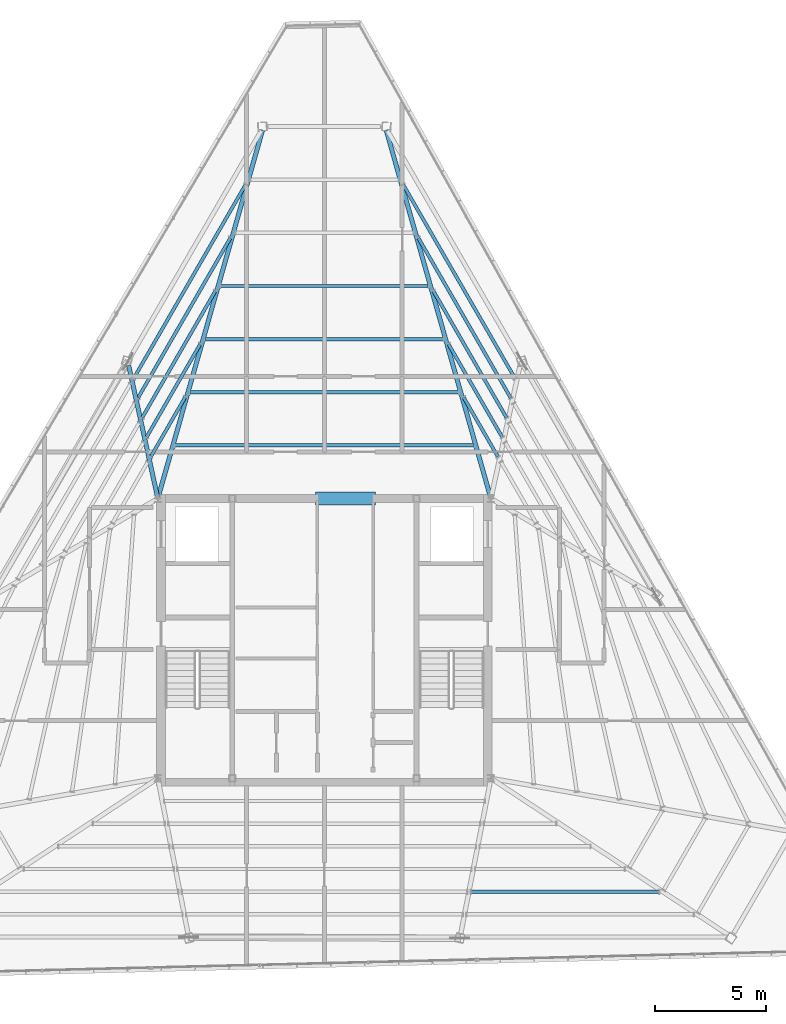
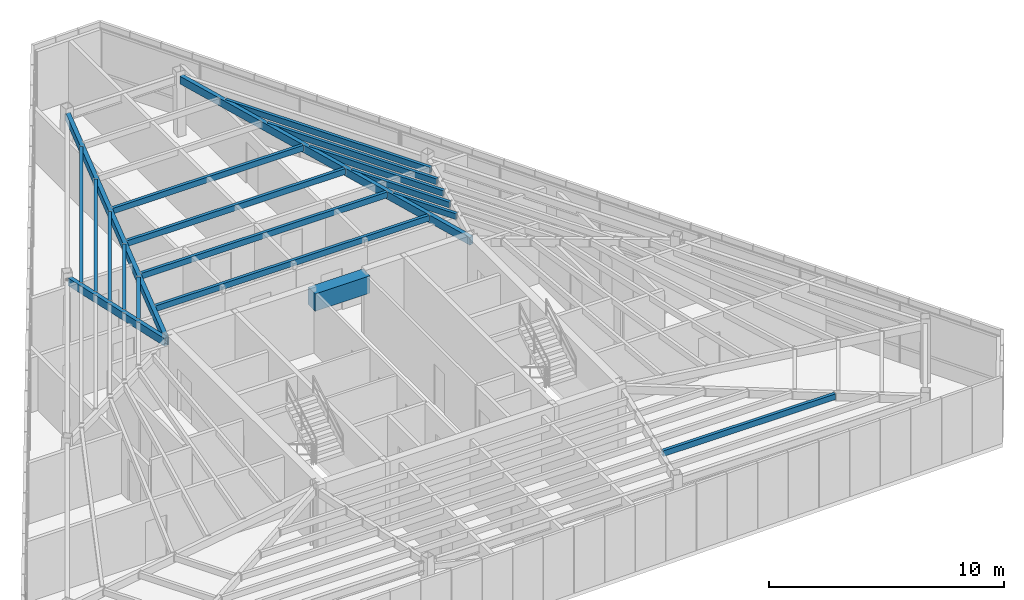
# One storey, part 20 of 48: 19 beams.
"""IFC4 building model written with IfcOpenShell, lengths in metres."""

from ifc_helpers import new_model, si_unit, direction, frame, origin, origin_2d, place, context, subcontext, project, spatial, rectangle, hollow_rectangle, extrude, source, transform, mapped, material, material_profile, profile_set, type_object, type_shapes, element, save


model = new_model("IFC4")

# Units and contexts
model_context = context("Model", 3, precision=1e-05, world=origin(), true_north=direction((0.0, 1.0)))
body_context = subcontext(model_context, "Body", "Model", "MODEL_VIEW")
ifc_project = project(units=[si_unit("LENGTHUNIT", "METRE"), si_unit("AREAUNIT", "SQUARE_METRE"), si_unit("VOLUMEUNIT", "CUBIC_METRE"), si_unit("PLANEANGLEUNIT", "RADIAN"), si_unit("MASSUNIT", "GRAM", prefix="KILO")], contexts=[model_context])

# Site, building, storey
site_placement = place(None, origin())
site = spatial("IfcSite", under=ifc_project, at=site_placement, CompositionType="ELEMENT")
building_placement = place(site_placement, origin())
building = spatial("IfcBuilding", under=site, at=building_placement, Name="Caelisora Broadcast Tower", CompositionType="ELEMENT")
storey_placement = place(building_placement, frame((0.0, 0.0, 300.0)))
storey = spatial("IfcBuildingStorey", under=building, at=storey_placement, Name="L79", CompositionType="ELEMENT", Elevation=300.0)

# Beams
ifc_material_1 = material(Name="Concrete 50 MPa (AS 3600 S50)", Category="concrete")
ifc_material_profile_1 = material_profile(ifc_material_1, rectangle(XDim=0.60009765625, YDim=0.89990234375, at=origin_2d()), Name="Concrete 50 MPa (AS 3600 S50)")
ifc_profile_set_1 = profile_set([ifc_material_profile_1], Name="Concrete 50 MPa (AS 3600 S50)")
beam_type_1 = type_object("IfcBeamType", Name="CB02", PredefinedType="LINTEL", material=ifc_profile_set_1)
shared_shape_1 = source(origin(), body_context, "Body", "SweptSolid", [
    extrude(rectangle(XDim=0.60009765625, YDim=0.89990234375, at=origin_2d()), origin(), (0.0, 0.0, 1.0), 2.699951171875),
])
type_shapes(beam_type_1, [shared_shape_1])
beam_1_placement = place(storey_placement, frame((37.60009765625, 30.0, 2.699951171875), z_axis=(1.0, 0.0, 0.0), x_axis=(0.0, 1.0, 0.0)))
element("IfcBeam", 1, at=beam_1_placement, inside=storey, type_object=beam_type_1, Name="L79 beam CB02", PredefinedType="LINTEL", context=body_context, shape_type="MappedRepresentation", body=[
    mapped(shared_shape_1, transform((0.0, 0.0, 0.0), scale=1.0)),
])
ifc_material_2 = material(Name="Steel Grade 350 (AS/NZS 1163 C350L0)", Category="steel")
ifc_material_profile_2 = material_profile(ifc_material_2, hollow_rectangle(XDim=0.14990234375, YDim=0.300048828125, WallThickness=0.010009765625, at=origin_2d()), Name="Steel Grade 350 (AS/NZS 1163 C350L0)")
ifc_profile_set_2 = profile_set([ifc_material_profile_2], Name="Steel Grade 350 (AS/NZS 1163 C350L0)")
beam_type_2 = type_object("IfcBeamType", Name="SB05", PredefinedType="JOIST", material=ifc_profile_set_2)
shared_shape_2 = source(origin(), body_context, "Body", "SweptSolid", [
    extrude(hollow_rectangle(XDim=0.14990234375, YDim=0.300048828125, WallThickness=0.010009765625, at=origin_2d()), origin(), (0.0, 0.0, 1.0), 4.833740234375),
])
beam_2_placement = place(storey_placement, frame((32.410400390625, 36.955810546875, 3.0), z_axis=(-0.500028496977, -0.866008950422, 0.0), x_axis=(0.866008950422, -0.500028496977, 0.0)))
element("IfcBeam", 2, at=beam_2_placement, inside=storey, type_object=beam_type_2, Name="L79 beam SB05", PredefinedType="JOIST", context=body_context, shape_type="MappedRepresentation", body=[
    mapped(shared_shape_2, transform((0.0, 0.0, 0.0), scale=1.0)),
])
ifc_material_profile_3 = material_profile(ifc_material_2, hollow_rectangle(XDim=0.199951171875, YDim=0.39990234375, WallThickness=0.012451171875, at=origin_2d()), Name="Steel Grade 350 (AS/NZS 1163 C350L0)")
ifc_profile_set_3 = profile_set([ifc_material_profile_3], Name="Steel Grade 350 (AS/NZS 1163 C350L0)")
beam_type_3 = type_object("IfcBeamType", Name="PG07", PredefinedType="BEAM", material=ifc_profile_set_3)
shared_shape_3 = source(origin(), body_context, "Body", "SweptSolid", [
    extrude(hollow_rectangle(XDim=0.199951171875, YDim=0.39990234375, WallThickness=0.012451171875, at=origin_2d()), origin(), (0.0, 0.0, 1.0), 17.19140625),
])
beam_3_placement = place(storey_placement, frame((45.483642578125, 30.0576171875, 2.949951171875), z_axis=(-0.27333099639, 0.96192004159, 0.0), x_axis=(-0.96192004159, -0.27333099639, 0.0)))
element("IfcBeam", 3, at=beam_3_placement, inside=storey, type_object=beam_type_3, Name="L79 beam PG07", PredefinedType="BEAM", context=body_context, shape_type="MappedRepresentation", body=[
    mapped(shared_shape_3, transform((0.0, 0.0, 0.0), scale=1.0)),
])
shared_shape_4 = source(origin(), body_context, "Body", "SweptSolid", [
    extrude(hollow_rectangle(XDim=0.199951171875, YDim=0.39990234375, WallThickness=0.012451171875, at=origin_2d()), origin(), (0.0, 0.0, 1.0), 17.191650390625),
])
beam_4_placement = place(storey_placement, frame((30.516357421875, 30.0576171875, 2.949951171875), z_axis=(0.273327262616, 0.961921102539, 0.0), x_axis=(-0.961921102539, 0.273327262616, 0.0)))
element("IfcBeam", 4, at=beam_4_placement, inside=storey, type_object=beam_type_3, Name="L79 beam PG07", PredefinedType="BEAM", context=body_context, shape_type="MappedRepresentation", body=[
    mapped(shared_shape_4, transform((0.0, 0.0, 0.0), scale=1.0)),
])
shared_shape_5 = source(origin(), body_context, "Body", "SweptSolid", [
    extrude(hollow_rectangle(XDim=0.199951171875, YDim=0.39990234375, WallThickness=0.012451171875, at=origin_2d()), origin(), (0.0, 0.0, 1.0), 6.087158203125),
])
type_shapes(beam_type_3, [shared_shape_3, shared_shape_4, shared_shape_5])
beam_5_placement = place(storey_placement, frame((30.4873046875, 30.05859375, 2.949951171875), z_axis=(-0.214016236136, 0.976830103278, 0.0), x_axis=(-0.976830103278, -0.214016236136, 0.0)))
element("IfcBeam", 5, at=beam_5_placement, inside=storey, type_object=beam_type_3, Name="L79 beam PG07", PredefinedType="BEAM", context=body_context, shape_type="MappedRepresentation", body=[
    mapped(shared_shape_5, transform((0.0, 0.0, 0.0), scale=1.0)),
])
shared_shape_6 = source(origin(), body_context, "Body", "SweptSolid", [
    extrude(hollow_rectangle(XDim=0.14990234375, YDim=0.300048828125, WallThickness=0.010009765625, at=origin_2d()), origin(), (0.0, 0.0, 1.0), 13.4375),
])
beam_6_placement = place(storey_placement, frame((44.71875, 32.393798828125, 3.0), z_axis=(-1.0, 0.0, 0.0), x_axis=(0.0, -1.0, 0.0)))
element("IfcBeam", 6, at=beam_6_placement, inside=storey, type_object=beam_type_2, Name="L79 beam SB05", PredefinedType="JOIST", context=body_context, shape_type="MappedRepresentation", body=[
    mapped(shared_shape_6, transform((0.0, 0.0, 0.0), scale=1.0)),
])
shared_shape_7 = source(origin(), body_context, "Body", "SweptSolid", [
    extrude(hollow_rectangle(XDim=0.14990234375, YDim=0.300048828125, WallThickness=0.010009765625, at=origin_2d()), origin(), (0.0, 0.0, 1.0), 12.07763671875),
])
beam_7_placement = place(storey_placement, frame((44.038818359375, 34.78759765625, 3.0), z_axis=(-1.0, 0.0, 0.0), x_axis=(0.0, -1.0, 0.0)))
element("IfcBeam", 7, at=beam_7_placement, inside=storey, type_object=beam_type_2, Name="L79 beam SB05", PredefinedType="JOIST", context=body_context, shape_type="MappedRepresentation", body=[
    mapped(shared_shape_7, transform((0.0, 0.0, 0.0), scale=1.0)),
])
shared_shape_8 = source(origin(), body_context, "Body", "SweptSolid", [
    extrude(hollow_rectangle(XDim=0.14990234375, YDim=0.300048828125, WallThickness=0.010009765625, at=origin_2d()), origin(), (0.0, 0.0, 1.0), 10.716796875),
])
beam_8_placement = place(storey_placement, frame((43.3583984375, 37.18115234375, 3.0), z_axis=(-0.999999999741, 2.2781119e-05, 0.0), x_axis=(-2.2781119e-05, -0.999999999741, 0.0)))
element("IfcBeam", 8, at=beam_8_placement, inside=storey, type_object=beam_type_2, Name="L79 beam SB05", PredefinedType="JOIST", context=body_context, shape_type="MappedRepresentation", body=[
    mapped(shared_shape_8, transform((0.0, 0.0, 0.0), scale=1.0)),
])
shared_shape_9 = source(origin(), body_context, "Body", "SweptSolid", [
    extrude(hollow_rectangle(XDim=0.14990234375, YDim=0.300048828125, WallThickness=0.010009765625, at=origin_2d()), origin(), (0.0, 0.0, 1.0), 9.3564453125),
])
beam_9_placement = place(storey_placement, frame((42.67822265625, 39.574951171875, 3.0), z_axis=(-1.0, 0.0, 0.0), x_axis=(0.0, -1.0, 0.0)))
element("IfcBeam", 9, at=beam_9_placement, inside=storey, type_object=beam_type_2, Name="L79 beam SB05", PredefinedType="JOIST", context=body_context, shape_type="MappedRepresentation", body=[
    mapped(shared_shape_9, transform((0.0, 0.0, 0.0), scale=1.0)),
])
shared_shape_10 = source(origin(), body_context, "Body", "SweptSolid", [
    extrude(hollow_rectangle(XDim=0.14990234375, YDim=0.300048828125, WallThickness=0.010009765625, at=origin_2d()), origin(), (0.0, 0.0, 1.0), 3.08740234375),
])
beam_10_placement = place(storey_placement, frame((31.730224609375, 34.562255859375, 3.0), z_axis=(-0.499991688307, -0.866030202489, 0.0), x_axis=(0.866030202489, -0.499991688307, 0.0)))
element("IfcBeam", 10, at=beam_10_placement, inside=storey, type_object=beam_type_2, Name="L79 beam SB05", PredefinedType="JOIST", context=body_context, shape_type="MappedRepresentation", body=[
    mapped(shared_shape_10, transform((0.0, 0.0, 0.0), scale=1.0)),
])
shared_shape_11 = source(origin(), body_context, "Body", "SweptSolid", [
    extrude(hollow_rectangle(XDim=0.14990234375, YDim=0.300048828125, WallThickness=0.010009765625, at=origin_2d()), origin(), (0.0, 0.0, 1.0), 6.580322265625),
])
for number, where, z_axis, x_axis, name in (
    (11, (33.090576171875, 39.349609375, 3.0), (-0.500013635111, -0.866017531406, 0.0), (0.866017531406, -0.500013635111, 0.0), "L79 beam SB05"),
    (12, (46.19970703125, 33.65087890625, 3.0), (-0.500013635111, 0.866017531406, 0.0), (-0.866017531406, -0.500013635111, 0.0), "L79 beam SB05"),
):
    element("IfcBeam", number, at=place(storey_placement, frame(where, z_axis=z_axis, x_axis=x_axis)), inside=storey, type_object=beam_type_2, Name=name, PredefinedType="JOIST", context=body_context, shape_type="MappedRepresentation", body=[
        mapped(shared_shape_11, transform((0.0, 0.0, 0.0), scale=1.0)),
    ])
shared_shape_12 = source(origin(), body_context, "Body", "SweptSolid", [
    extrude(hollow_rectangle(XDim=0.14990234375, YDim=0.300048828125, WallThickness=0.010009765625, at=origin_2d()), origin(), (0.0, 0.0, 1.0), 8.32666015625),
])
beam_11_placement = place(storey_placement, frame((33.770751953125, 41.743408203125, 3.0), z_axis=(-0.499995714105, -0.866027878233, 0.0), x_axis=(0.866027878233, -0.499995714105, 0.0)))
element("IfcBeam", 13, at=beam_11_placement, inside=storey, type_object=beam_type_2, Name="L79 beam SB05", PredefinedType="JOIST", context=body_context, shape_type="MappedRepresentation", body=[
    mapped(shared_shape_12, transform((0.0, 0.0, 0.0), scale=1.0)),
])
shared_shape_13 = source(origin(), body_context, "Body", "SweptSolid", [
    extrude(hollow_rectangle(XDim=0.14990234375, YDim=0.300048828125, WallThickness=0.010009765625, at=origin_2d()), origin(), (0.0, 0.0, 1.0), 10.0732421875),
])
beam_12_placement = place(storey_placement, frame((34.450927734375, 44.13720703125, 3.0), z_axis=(-0.500002184593, -0.866024142505, 0.0), x_axis=(0.866024142505, -0.500002184593, 0.0)))
element("IfcBeam", 14, at=beam_12_placement, inside=storey, type_object=beam_type_2, Name="L79 beam SB05", PredefinedType="JOIST", context=body_context, shape_type="MappedRepresentation", body=[
    mapped(shared_shape_13, transform((0.0, 0.0, 0.0), scale=1.0)),
])
shared_shape_14 = source(origin(), body_context, "Body", "SweptSolid", [
    extrude(hollow_rectangle(XDim=0.14990234375, YDim=0.300048828125, WallThickness=0.010009765625, at=origin_2d()), origin(), (0.0, 0.0, 1.0), 8.455078125),
])
beam_13_placement = place(storey_placement, frame((44.60791015625, 12.29296875, 3.0), z_axis=(1.0, 0.0, 0.0), x_axis=(0.0, 1.0, 0.0)))
element("IfcBeam", 15, at=beam_13_placement, inside=storey, type_object=beam_type_2, Name="L79 beam SB05", PredefinedType="JOIST", context=body_context, shape_type="MappedRepresentation", body=[
    mapped(shared_shape_14, transform((0.0, 0.0, 0.0), scale=1.0)),
])
shared_shape_15 = source(origin(), body_context, "Body", "SweptSolid", [
    extrude(hollow_rectangle(XDim=0.14990234375, YDim=0.300048828125, WallThickness=0.010009765625, at=origin_2d()), origin(), (0.0, 0.0, 1.0), 3.087158203125),
])
beam_14_placement = place(storey_placement, frame((45.8134765625, 31.888427734375, 3.0), z_axis=(-0.500025930393, 0.866010432347, 0.0), x_axis=(-0.866010432347, -0.500025930393, 0.0)))
element("IfcBeam", 16, at=beam_14_placement, inside=storey, type_object=beam_type_2, Name="L79 beam SB05", PredefinedType="JOIST", context=body_context, shape_type="MappedRepresentation", body=[
    mapped(shared_shape_15, transform((0.0, 0.0, 0.0), scale=1.0)),
])
shared_shape_16 = source(origin(), body_context, "Body", "SweptSolid", [
    extrude(hollow_rectangle(XDim=0.14990234375, YDim=0.300048828125, WallThickness=0.010009765625, at=origin_2d()), origin(), (0.0, 0.0, 1.0), 4.833984375),
])
beam_15_placement = place(storey_placement, frame((46.006591796875, 32.76953125, 3.0), z_axis=(-0.500006626369, 0.866021578015, 0.0), x_axis=(-0.866021578015, -0.500006626369, 0.0)))
element("IfcBeam", 17, at=beam_15_placement, inside=storey, type_object=beam_type_2, Name="L79 beam SB05", PredefinedType="JOIST", context=body_context, shape_type="MappedRepresentation", body=[
    mapped(shared_shape_16, transform((0.0, 0.0, 0.0), scale=1.0)),
])
shared_shape_17 = source(origin(), body_context, "Body", "SweptSolid", [
    extrude(hollow_rectangle(XDim=0.14990234375, YDim=0.300048828125, WallThickness=0.010009765625, at=origin_2d()), origin(), (0.0, 0.0, 1.0), 8.326904296875),
])
beam_16_placement = place(storey_placement, frame((46.392578125, 34.531982421875, 3.0), z_axis=(-0.499983018469, 0.866035207854, 0.0), x_axis=(-0.866035207854, -0.499983018469, 0.0)))
element("IfcBeam", 18, at=beam_16_placement, inside=storey, type_object=beam_type_2, Name="L79 beam SB05", PredefinedType="JOIST", context=body_context, shape_type="MappedRepresentation", body=[
    mapped(shared_shape_17, transform((0.0, 0.0, 0.0), scale=1.0)),
])
shared_shape_18 = source(origin(), body_context, "Body", "SweptSolid", [
    extrude(hollow_rectangle(XDim=0.14990234375, YDim=0.300048828125, WallThickness=0.010009765625, at=origin_2d()), origin(), (0.0, 0.0, 1.0), 10.073486328125),
])
type_shapes(beam_type_2, [shared_shape_2, shared_shape_6, shared_shape_7, shared_shape_8, shared_shape_9, shared_shape_10, shared_shape_11, shared_shape_12, shared_shape_13, shared_shape_14, shared_shape_15, shared_shape_16, shared_shape_17, shared_shape_18])
beam_17_placement = place(storey_placement, frame((46.585693359375, 35.413330078125, 3.0), z_axis=(-0.499991689967, 0.866030201531, 0.0), x_axis=(-0.866030201531, -0.499991689967, 0.0)))
element("IfcBeam", 19, at=beam_17_placement, inside=storey, type_object=beam_type_2, Name="L79 beam SB05", PredefinedType="JOIST", context=body_context, shape_type="MappedRepresentation", body=[
    mapped(shared_shape_18, transform((0.0, 0.0, 0.0), scale=1.0)),
])

save(model, "model.ifc")
